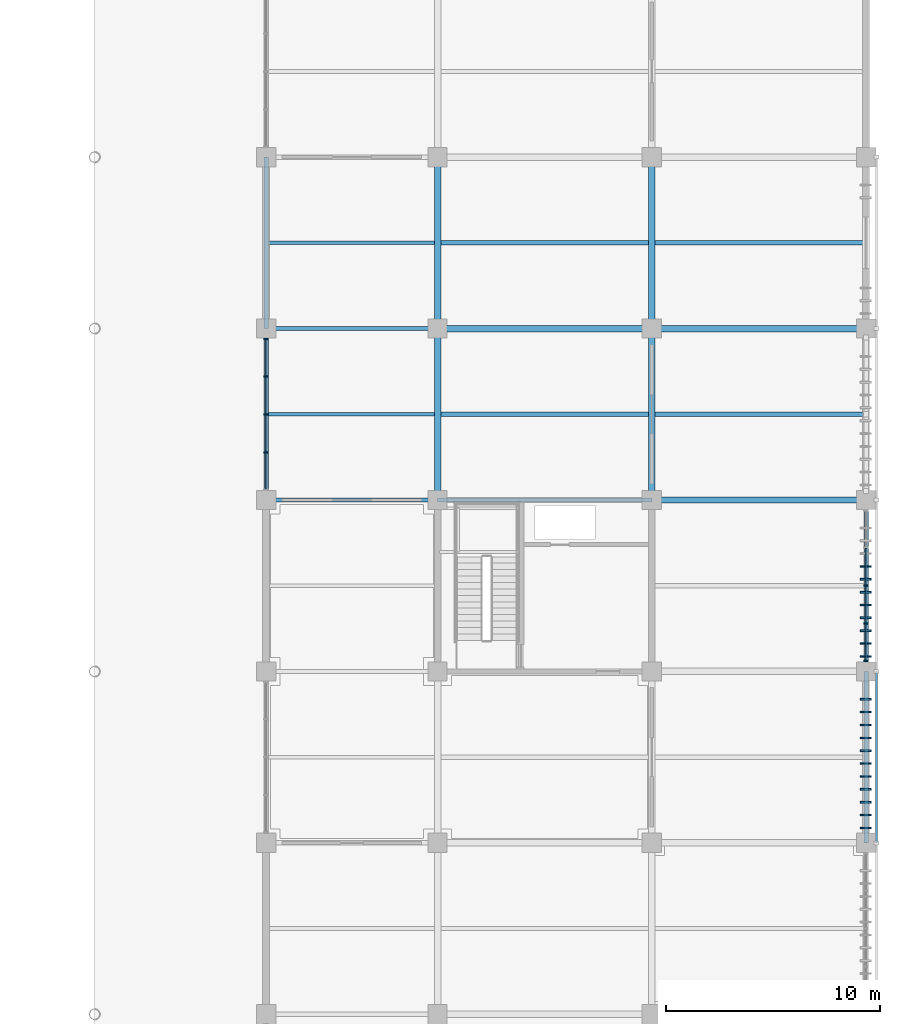
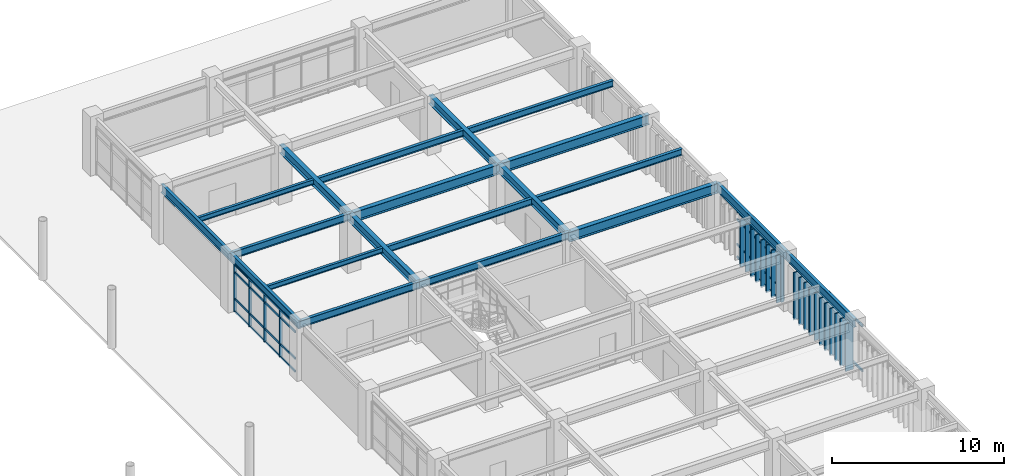
# One storey, part 48 of 118: 56 members, 20 beams, 2 elements without a shape of their own.
"""IFC4 building model written with IfcOpenShell, lengths in metres."""

from ifc_helpers import new_model, si_unit, direction, frame, origin, origin_2d, place, context, subcontext, project, spatial, rectangle, hollow_rectangle, i_section, extrude, material, layer, layer_set, material_profile, profile_set, type_object, element, aggregate, save


model = new_model("IFC4")

# Units and contexts
model_context = context("Model", 3, precision=1e-05, world=origin(), true_north=direction((0.0, 1.0)))
body_context = subcontext(model_context, "Body", "Model", "MODEL_VIEW")
ifc_project = project(units=[si_unit("LENGTHUNIT", "METRE"), si_unit("AREAUNIT", "SQUARE_METRE"), si_unit("VOLUMEUNIT", "CUBIC_METRE"), si_unit("PLANEANGLEUNIT", "RADIAN"), si_unit("MASSUNIT", "GRAM", prefix="KILO")], contexts=[model_context])

# Site, building, storey
site_placement = place(None, origin())
site = spatial("IfcSite", under=ifc_project, at=site_placement, CompositionType="ELEMENT")
building_placement = place(site_placement, origin())
building = spatial("IfcBuilding", under=site, at=building_placement, Name="Haebicheon Civic Stadium", CompositionType="ELEMENT")
storey_placement = place(building_placement, frame((0.0, 0.0, 14.39990234375)))
storey = spatial("IfcBuildingStorey", under=building, at=storey_placement, Name="L04", CompositionType="ELEMENT", Elevation=14.39990234375)

# Beams
ifc_material_1 = material(Name="Steel SM355 (S355)", Category="steel")
ifc_material_profile_1 = material_profile(ifc_material_1, i_section(OverallWidth=0.199951171875, OverallDepth=0.5, WebThickness=0.010009765625, FlangeThickness=0.01611328125, at=origin_2d()), Name="H-500x200x10x16")
ifc_profile_set_1 = profile_set([ifc_material_profile_1], Name="Steel SM355 (S355)")
beam_type_1 = type_object("IfcBeamType", Name="BM-ST-H500", PredefinedType="BEAM", material=ifc_profile_set_1)
for number, where, z_axis, x_axis, name in (
    (1, (208.0, 112.0, 3.690185546875), (1.0, 0.0, 0.0), (0.0, 1.0, 0.0), "L04 beam Q/27-28"),
    (2, (208.0, 120.0, 3.690185546875), (1.0, 0.0, 0.0), (0.0, 1.0, 0.0), "L04 beam R/27-28"),
):
    element("IfcBeam", number, at=place(storey_placement, frame(where, z_axis=z_axis, x_axis=x_axis)), inside=storey, type_object=beam_type_1, material=ifc_profile_set_1, Name=name, PredefinedType="BEAM", context=body_context, shape_type="SweptSolid", body=[
        extrude(i_section(OverallWidth=0.199951171875, OverallDepth=0.5, WebThickness=0.010009765625, FlangeThickness=0.01611328125, at=origin_2d()), origin(), (0.0, 0.0, 1.0), 8.0),
    ])
beam_placement = place(storey_placement, frame((216.0, 112.0, 3.690185546875), z_axis=(1.0, 0.0, 0.0), x_axis=(0.0, 1.0, 0.0)))
element("IfcBeam", 3, at=beam_placement, inside=storey, type_object=beam_type_1, material=ifc_profile_set_1, Name="L04 beam Q/28-29", PredefinedType="BEAM", context=body_context, shape_type="SweptSolid", body=[
    extrude(i_section(OverallWidth=0.199951171875, OverallDepth=0.5, WebThickness=0.010009765625, FlangeThickness=0.01611328125, at=origin_2d()), origin(), (0.0, 0.0, 1.0), 10.0),
])
ifc_material_2 = material(Name="Steel SM355 (S355)", Category="steel")
ifc_material_profile_2 = material_profile(ifc_material_2, i_section(OverallWidth=0.300048828125, OverallDepth=0.60009765625, WebThickness=0.011962890625, FlangeThickness=0.02001953125, at=origin_2d()), Name="H-600x300x12x20")
ifc_profile_set_2 = profile_set([ifc_material_profile_2], Name="Steel SM355 (S355)")
beam_type_2 = type_object("IfcBeamType", Name="BM-ST-H600A", PredefinedType="BEAM", material=ifc_profile_set_2)
for number, where, z_axis, x_axis, name in (
    (4, (216.0, 112.0, 3.64013671875), (0.0, 1.0, 0.0), (-1.0, 0.0, 0.0), "L04 girder 28/Q-R"),
    (5, (216.0, 120.0, 3.64013671875), (0.0, 1.0, 0.0), (-1.0, 0.0, 0.0), "L04 girder 28/R-S"),
    (6, (226.0, 112.0, 3.64013671875), (0.0, 1.0, 0.0), (-1.0, 0.0, 0.0), "L04 girder 29/Q-R"),
    (7, (226.0, 120.0, 3.64013671875), (0.0, 1.0, 0.0), (-1.0, 0.0, 0.0), "L04 girder 29/R-S"),
):
    element("IfcBeam", number, at=place(storey_placement, frame(where, z_axis=z_axis, x_axis=x_axis)), inside=storey, type_object=beam_type_2, material=ifc_profile_set_2, Name=name, PredefinedType="BEAM", context=body_context, shape_type="SweptSolid", body=[
        extrude(i_section(OverallWidth=0.300048828125, OverallDepth=0.60009765625, WebThickness=0.011962890625, FlangeThickness=0.02001953125, at=origin_2d()), origin(), (0.0, 0.0, 1.0), 8.0),
    ])
ifc_material_3 = material(Name="Steel SM490", Category="steel")
ifc_material_profile_3 = material_profile(ifc_material_3, i_section(OverallWidth=0.300048828125, OverallDepth=0.699951171875, WebThickness=0.012939453125, FlangeThickness=0.02392578125, at=origin_2d()), Name="H-700x300x13x24")
ifc_profile_set_3 = profile_set([ifc_material_profile_3], Name="Steel SM490")
beam_type_3 = type_object("IfcBeamType", Name="BM-ST-H700", PredefinedType="BEAM", material=ifc_profile_set_3)
for number, where, z_axis, x_axis, name in (
    (8, (216.0, 120.0, 3.590087890625), (1.0, 0.0, 0.0), (0.0, 1.0, 0.0), "L04 beam R/28-29"),
    (9, (226.0, 112.0, 3.590087890625), (1.0, 0.0, 0.0), (0.0, 1.0, 0.0), "L04 beam Q/29-30"),
    (10, (226.0, 120.0, 3.590087890625), (1.0, 0.0, 0.0), (0.0, 1.0, 0.0), "L04 beam R/29-30"),
):
    element("IfcBeam", number, at=place(storey_placement, frame(where, z_axis=z_axis, x_axis=x_axis)), inside=storey, type_object=beam_type_3, material=ifc_profile_set_3, Name=name, PredefinedType="BEAM", context=body_context, shape_type="SweptSolid", body=[
        extrude(i_section(OverallWidth=0.300048828125, OverallDepth=0.699951171875, WebThickness=0.012939453125, FlangeThickness=0.02392578125, at=origin_2d()), origin(), (0.0, 0.0, 1.0), 10.0),
    ])

# Curtain wall, members
ifc_material_4 = material(Name="Anodised aluminium and laminated glass", Category="aluminium")
ifc_layer_1 = layer(ifc_material_4, 0.179931640625, Name="Anodised aluminium and laminated glass")
ifc_layer_set_1 = layer_set([ifc_layer_1], Name="Anodised aluminium and laminated glass")
curtain_wall_type_1 = type_object("IfcCurtainWallType", Name="CW-7100x3330", PredefinedType="NOTDEFINED", material=ifc_layer_set_1)
curtain_wall_1_placement = place(storey_placement, origin())
curtain_wall_1 = element("IfcCurtainWall", 11, at=curtain_wall_1_placement, inside=storey, type_object=curtain_wall_type_1, material=ifc_layer_set_1, Name="L04 unitised curtain wall 173", PredefinedType="NOTDEFINED")
ifc_material_5 = material(Name="Anodised aluminium 6063-T6", Category="aluminium")
ifc_material_profile_4 = material_profile(ifc_material_5, rectangle(XDim=0.070068359375, YDim=0.199951171875, at=origin_2d()), Name="ALU-MULL-70x200")
ifc_profile_set_4 = profile_set([ifc_material_profile_4], Name="Anodised aluminium 6063-T6")
member_type_1 = type_object("IfcMemberType", Name="CWM-200x70", PredefinedType="MULLION", material=ifc_profile_set_4)
member_1_placement = place(storey_placement, frame((208.0, 114.22509765625, 0.0), z_axis=(0.0, 0.0, 1.0), x_axis=(0.0, 1.0, 0.0)))
member_1 = element("IfcMember", 12, at=member_1_placement, type_object=member_type_1, material=ifc_profile_set_4, Name="CW-L04-173 vertical mullion 2", PredefinedType="MULLION", context=body_context, shape_type="SweptSolid", body=[
    extrude(rectangle(XDim=0.070068359375, YDim=0.199951171875, at=origin_2d()), origin(), (0.0, 0.0, 1.0), 3.330078125),
])
member_2_placement = place(storey_placement, frame((208.0, 116.0, 0.0), z_axis=(0.0, 0.0, 1.0), x_axis=(0.0, 1.0, 0.0)))
member_2 = element("IfcMember", 13, at=member_2_placement, type_object=member_type_1, material=ifc_profile_set_4, Name="CW-L04-173 vertical mullion 3", PredefinedType="MULLION", context=body_context, shape_type="SweptSolid", body=[
    extrude(rectangle(XDim=0.070068359375, YDim=0.199951171875, at=origin_2d()), origin(), (0.0, 0.0, 1.0), 3.330078125),
])
member_3_placement = place(storey_placement, frame((208.0, 117.77490234375, 0.0), z_axis=(0.0, 0.0, 1.0), x_axis=(0.0, 1.0, 0.0)))
member_3 = element("IfcMember", 14, at=member_3_placement, type_object=member_type_1, material=ifc_profile_set_4, Name="CW-L04-173 vertical mullion 4", PredefinedType="MULLION", context=body_context, shape_type="SweptSolid", body=[
    extrude(rectangle(XDim=0.070068359375, YDim=0.199951171875, at=origin_2d()), origin(), (0.0, 0.0, 1.0), 3.330078125),
])
member_4_placement = place(storey_placement, frame((208.0, 119.514892578125, 0.0), z_axis=(0.0, 0.0, 1.0), x_axis=(0.0, 1.0, 0.0)))
member_4 = element("IfcMember", 15, at=member_4_placement, type_object=member_type_1, material=ifc_profile_set_4, Name="CW-L04-173 vertical mullion 5", PredefinedType="MULLION", context=body_context, shape_type="SweptSolid", body=[
    extrude(rectangle(XDim=0.070068359375, YDim=0.199951171875, at=origin_2d()), origin(), (0.0, 0.0, 1.0), 3.330078125),
])

ifc_material_6 = material(Name="Anodised aluminium and laminated glass", Category="aluminium")
ifc_layer_2 = layer(ifc_material_6, 0.179931640625, Name="Anodised aluminium and laminated glass")
ifc_layer_set_2 = layer_set([ifc_layer_2], Name="Anodised aluminium and laminated glass")
curtain_wall_type_2 = type_object("IfcCurtainWallType", Name="CW-7100x3230", PredefinedType="NOTDEFINED", material=ifc_layer_set_2)
curtain_wall_2_placement = place(storey_placement, origin())
curtain_wall_2 = element("IfcCurtainWall", 16, at=curtain_wall_2_placement, inside=storey, type_object=curtain_wall_type_2, material=ifc_layer_set_2, Name="L04 unitised curtain wall 180", PredefinedType="NOTDEFINED")
member_5_placement = place(storey_placement, frame((236.0, 104.485107421875, 0.0), z_axis=(0.0, 0.0, 1.0), x_axis=(0.0, 1.0, 0.0)))
member_5 = element("IfcMember", 17, at=member_5_placement, type_object=member_type_1, material=ifc_profile_set_4, Name="CW-L04-180 vertical mullion 1", PredefinedType="MULLION", context=body_context, shape_type="SweptSolid", body=[
    extrude(rectangle(XDim=0.070068359375, YDim=0.199951171875, at=origin_2d()), origin(), (0.0, 0.0, 1.0), 3.22998046875),
])
member_6_placement = place(storey_placement, frame((236.0, 106.22509765625, 0.0), z_axis=(0.0, 0.0, 1.0), x_axis=(0.0, 1.0, 0.0)))
member_6 = element("IfcMember", 18, at=member_6_placement, type_object=member_type_1, material=ifc_profile_set_4, Name="CW-L04-180 vertical mullion 2", PredefinedType="MULLION", context=body_context, shape_type="SweptSolid", body=[
    extrude(rectangle(XDim=0.070068359375, YDim=0.199951171875, at=origin_2d()), origin(), (0.0, 0.0, 1.0), 3.22998046875),
])
member_7_placement = place(storey_placement, frame((236.0, 108.0, 0.0), z_axis=(0.0, 0.0, 1.0), x_axis=(0.0, 1.0, 0.0)))
member_7 = element("IfcMember", 19, at=member_7_placement, type_object=member_type_1, material=ifc_profile_set_4, Name="CW-L04-180 vertical mullion 3", PredefinedType="MULLION", context=body_context, shape_type="SweptSolid", body=[
    extrude(rectangle(XDim=0.070068359375, YDim=0.199951171875, at=origin_2d()), origin(), (0.0, 0.0, 1.0), 3.22998046875),
])

# Member
ifc_material_7 = material(Name="Anodised aluminium 6063-T6", Category="aluminium")
ifc_material_profile_5 = material_profile(ifc_material_7, rectangle(XDim=0.070068359375, YDim=0.14990234375, at=origin_2d()), Name="ALU-TRAN-70x150")
ifc_profile_set_5 = profile_set([ifc_material_profile_5], Name="Anodised aluminium 6063-T6")
member_type_2 = type_object("IfcMemberType", Name="CWT-150x70", PredefinedType="NOTDEFINED", material=ifc_profile_set_5)
member_8_placement = place(storey_placement, frame((208.0, 112.52001953125, 0.0), z_axis=(0.0, 1.0, 0.0), x_axis=(-1.0, 0.0, 0.0)))
member_8 = element("IfcMember", 20, at=member_8_placement, type_object=member_type_2, material=ifc_profile_set_5, Name="CW-L04-173 horizontal transom 1.1", ObjectType="TRANSOM", PredefinedType="USERDEFINED", context=body_context, shape_type="SweptSolid", body=[
    extrude(rectangle(XDim=0.070068359375, YDim=0.14990234375, at=origin_2d()), origin(), (0.0, 0.0, 1.0), 1.669921875),
])

member_9_placement = place(storey_placement, frame((208.0, 112.52001953125, 0.900146484375), z_axis=(0.0, 1.0, 0.0), x_axis=(-1.0, 0.0, 0.0)))
member_9 = element("IfcMember", 21, at=member_9_placement, type_object=member_type_2, material=ifc_profile_set_5, Name="CW-L04-173 horizontal transom 1.2", ObjectType="TRANSOM", PredefinedType="USERDEFINED", context=body_context, shape_type="SweptSolid", body=[
    extrude(rectangle(XDim=0.070068359375, YDim=0.14990234375, at=origin_2d()), origin(), (0.0, 0.0, 1.0), 1.669921875),
])

member_10_placement = place(storey_placement, frame((208.0, 112.52001953125, 2.780029296875), z_axis=(0.0, 1.0, 0.0), x_axis=(-1.0, 0.0, 0.0)))
member_10 = element("IfcMember", 22, at=member_10_placement, type_object=member_type_2, material=ifc_profile_set_5, Name="CW-L04-173 horizontal transom 1.3", ObjectType="TRANSOM", PredefinedType="USERDEFINED", context=body_context, shape_type="SweptSolid", body=[
    extrude(rectangle(XDim=0.070068359375, YDim=0.14990234375, at=origin_2d()), origin(), (0.0, 0.0, 1.0), 1.669921875),
])

member_11_placement = place(storey_placement, frame((208.0, 112.52001953125, 3.330078125), z_axis=(0.0, 1.0, 0.0), x_axis=(-1.0, 0.0, 0.0)))
member_11 = element("IfcMember", 23, at=member_11_placement, type_object=member_type_2, material=ifc_profile_set_5, Name="CW-L04-173 horizontal transom 1.4", ObjectType="TRANSOM", PredefinedType="USERDEFINED", context=body_context, shape_type="SweptSolid", body=[
    extrude(rectangle(XDim=0.070068359375, YDim=0.14990234375, at=origin_2d()), origin(), (0.0, 0.0, 1.0), 1.669921875),
])

member_12_placement = place(storey_placement, frame((208.0, 114.260009765625, 0.0), z_axis=(0.0, 1.0, 0.0), x_axis=(-1.0, 0.0, 0.0)))
member_12 = element("IfcMember", 24, at=member_12_placement, type_object=member_type_2, material=ifc_profile_set_5, Name="CW-L04-173 horizontal transom 2.1", ObjectType="TRANSOM", PredefinedType="USERDEFINED", context=body_context, shape_type="SweptSolid", body=[
    extrude(rectangle(XDim=0.070068359375, YDim=0.14990234375, at=origin_2d()), origin(), (0.0, 0.0, 1.0), 1.705078125),
])

member_13_placement = place(storey_placement, frame((208.0, 114.260009765625, 0.900146484375), z_axis=(0.0, 1.0, 0.0), x_axis=(-1.0, 0.0, 0.0)))
member_13 = element("IfcMember", 25, at=member_13_placement, type_object=member_type_2, material=ifc_profile_set_5, Name="CW-L04-173 horizontal transom 2.2", ObjectType="TRANSOM", PredefinedType="USERDEFINED", context=body_context, shape_type="SweptSolid", body=[
    extrude(rectangle(XDim=0.070068359375, YDim=0.14990234375, at=origin_2d()), origin(), (0.0, 0.0, 1.0), 1.705078125),
])

member_14_placement = place(storey_placement, frame((208.0, 114.260009765625, 2.780029296875), z_axis=(0.0, 1.0, 0.0), x_axis=(-1.0, 0.0, 0.0)))
member_14 = element("IfcMember", 26, at=member_14_placement, type_object=member_type_2, material=ifc_profile_set_5, Name="CW-L04-173 horizontal transom 2.3", ObjectType="TRANSOM", PredefinedType="USERDEFINED", context=body_context, shape_type="SweptSolid", body=[
    extrude(rectangle(XDim=0.070068359375, YDim=0.14990234375, at=origin_2d()), origin(), (0.0, 0.0, 1.0), 1.705078125),
])

member_15_placement = place(storey_placement, frame((208.0, 114.260009765625, 3.330078125), z_axis=(0.0, 1.0, 0.0), x_axis=(-1.0, 0.0, 0.0)))
member_15 = element("IfcMember", 27, at=member_15_placement, type_object=member_type_2, material=ifc_profile_set_5, Name="CW-L04-173 horizontal transom 2.4", ObjectType="TRANSOM", PredefinedType="USERDEFINED", context=body_context, shape_type="SweptSolid", body=[
    extrude(rectangle(XDim=0.070068359375, YDim=0.14990234375, at=origin_2d()), origin(), (0.0, 0.0, 1.0), 1.705078125),
])

member_16_placement = place(storey_placement, frame((208.0, 116.034912109375, 0.0), z_axis=(0.0, 1.0, 0.0), x_axis=(-1.0, 0.0, 0.0)))
member_16 = element("IfcMember", 28, at=member_16_placement, type_object=member_type_2, material=ifc_profile_set_5, Name="CW-L04-173 horizontal transom 3.1", ObjectType="TRANSOM", PredefinedType="USERDEFINED", context=body_context, shape_type="SweptSolid", body=[
    extrude(rectangle(XDim=0.070068359375, YDim=0.14990234375, at=origin_2d()), origin(), (0.0, 0.0, 1.0), 1.705078125),
])

member_17_placement = place(storey_placement, frame((208.0, 116.034912109375, 0.900146484375), z_axis=(0.0, 1.0, 0.0), x_axis=(-1.0, 0.0, 0.0)))
member_17 = element("IfcMember", 29, at=member_17_placement, type_object=member_type_2, material=ifc_profile_set_5, Name="CW-L04-173 horizontal transom 3.2", ObjectType="TRANSOM", PredefinedType="USERDEFINED", context=body_context, shape_type="SweptSolid", body=[
    extrude(rectangle(XDim=0.070068359375, YDim=0.14990234375, at=origin_2d()), origin(), (0.0, 0.0, 1.0), 1.705078125),
])

member_18_placement = place(storey_placement, frame((208.0, 116.034912109375, 2.780029296875), z_axis=(0.0, 1.0, 0.0), x_axis=(-1.0, 0.0, 0.0)))
member_18 = element("IfcMember", 30, at=member_18_placement, type_object=member_type_2, material=ifc_profile_set_5, Name="CW-L04-173 horizontal transom 3.3", ObjectType="TRANSOM", PredefinedType="USERDEFINED", context=body_context, shape_type="SweptSolid", body=[
    extrude(rectangle(XDim=0.070068359375, YDim=0.14990234375, at=origin_2d()), origin(), (0.0, 0.0, 1.0), 1.705078125),
])

member_19_placement = place(storey_placement, frame((208.0, 116.034912109375, 3.330078125), z_axis=(0.0, 1.0, 0.0), x_axis=(-1.0, 0.0, 0.0)))
member_19 = element("IfcMember", 31, at=member_19_placement, type_object=member_type_2, material=ifc_profile_set_5, Name="CW-L04-173 horizontal transom 3.4", ObjectType="TRANSOM", PredefinedType="USERDEFINED", context=body_context, shape_type="SweptSolid", body=[
    extrude(rectangle(XDim=0.070068359375, YDim=0.14990234375, at=origin_2d()), origin(), (0.0, 0.0, 1.0), 1.705078125),
])

member_20_placement = place(storey_placement, frame((208.0, 117.81005859375, 0.0), z_axis=(0.0, 1.0, 0.0), x_axis=(-1.0, 0.0, 0.0)))
member_20 = element("IfcMember", 32, at=member_20_placement, type_object=member_type_2, material=ifc_profile_set_5, Name="CW-L04-173 horizontal transom 4.1", ObjectType="TRANSOM", PredefinedType="USERDEFINED", context=body_context, shape_type="SweptSolid", body=[
    extrude(rectangle(XDim=0.070068359375, YDim=0.14990234375, at=origin_2d()), origin(), (0.0, 0.0, 1.0), 1.669921875),
])

member_21_placement = place(storey_placement, frame((208.0, 117.81005859375, 0.900146484375), z_axis=(0.0, 1.0, 0.0), x_axis=(-1.0, 0.0, 0.0)))
member_21 = element("IfcMember", 33, at=member_21_placement, type_object=member_type_2, material=ifc_profile_set_5, Name="CW-L04-173 horizontal transom 4.2", ObjectType="TRANSOM", PredefinedType="USERDEFINED", context=body_context, shape_type="SweptSolid", body=[
    extrude(rectangle(XDim=0.070068359375, YDim=0.14990234375, at=origin_2d()), origin(), (0.0, 0.0, 1.0), 1.669921875),
])

member_22_placement = place(storey_placement, frame((208.0, 117.81005859375, 2.780029296875), z_axis=(0.0, 1.0, 0.0), x_axis=(-1.0, 0.0, 0.0)))
member_22 = element("IfcMember", 34, at=member_22_placement, type_object=member_type_2, material=ifc_profile_set_5, Name="CW-L04-173 horizontal transom 4.3", ObjectType="TRANSOM", PredefinedType="USERDEFINED", context=body_context, shape_type="SweptSolid", body=[
    extrude(rectangle(XDim=0.070068359375, YDim=0.14990234375, at=origin_2d()), origin(), (0.0, 0.0, 1.0), 1.669921875),
])

member_23_placement = place(storey_placement, frame((208.0, 117.81005859375, 3.330078125), z_axis=(0.0, 1.0, 0.0), x_axis=(-1.0, 0.0, 0.0)))
member_23 = element("IfcMember", 35, at=member_23_placement, type_object=member_type_2, material=ifc_profile_set_5, Name="CW-L04-173 horizontal transom 4.4", ObjectType="TRANSOM", PredefinedType="USERDEFINED", context=body_context, shape_type="SweptSolid", body=[
    extrude(rectangle(XDim=0.070068359375, YDim=0.14990234375, at=origin_2d()), origin(), (0.0, 0.0, 1.0), 1.669921875),
])

aggregate(curtain_wall_1, [member_1, member_2, member_3, member_4, member_8, member_9, member_10, member_11, member_12, member_13, member_14, member_15, member_16, member_17, member_18, member_19, member_20, member_21, member_22, member_23])

member_24_placement = place(storey_placement, frame((236.0, 104.52001953125, 0.0), z_axis=(0.0, 1.0, 0.0), x_axis=(-1.0, 0.0, 0.0)))
member_24 = element("IfcMember", 36, at=member_24_placement, type_object=member_type_2, material=ifc_profile_set_5, Name="CW-L04-180 horizontal transom 1.1", ObjectType="TRANSOM", PredefinedType="USERDEFINED", context=body_context, shape_type="SweptSolid", body=[
    extrude(rectangle(XDim=0.070068359375, YDim=0.14990234375, at=origin_2d()), origin(), (0.0, 0.0, 1.0), 1.669921875),
])

member_25_placement = place(storey_placement, frame((236.0, 104.52001953125, 0.900146484375), z_axis=(0.0, 1.0, 0.0), x_axis=(-1.0, 0.0, 0.0)))
member_25 = element("IfcMember", 37, at=member_25_placement, type_object=member_type_2, material=ifc_profile_set_5, Name="CW-L04-180 horizontal transom 1.2", ObjectType="TRANSOM", PredefinedType="USERDEFINED", context=body_context, shape_type="SweptSolid", body=[
    extrude(rectangle(XDim=0.070068359375, YDim=0.14990234375, at=origin_2d()), origin(), (0.0, 0.0, 1.0), 1.669921875),
])

member_26_placement = place(storey_placement, frame((236.0, 104.52001953125, 2.68017578125), z_axis=(0.0, 1.0, 0.0), x_axis=(-1.0, 0.0, 0.0)))
member_26 = element("IfcMember", 38, at=member_26_placement, type_object=member_type_2, material=ifc_profile_set_5, Name="CW-L04-180 horizontal transom 1.3", ObjectType="TRANSOM", PredefinedType="USERDEFINED", context=body_context, shape_type="SweptSolid", body=[
    extrude(rectangle(XDim=0.070068359375, YDim=0.14990234375, at=origin_2d()), origin(), (0.0, 0.0, 1.0), 1.669921875),
])

member_27_placement = place(storey_placement, frame((236.0, 104.52001953125, 3.22998046875), z_axis=(0.0, 1.0, 0.0), x_axis=(-1.0, 0.0, 0.0)))
member_27 = element("IfcMember", 39, at=member_27_placement, type_object=member_type_2, material=ifc_profile_set_5, Name="CW-L04-180 horizontal transom 1.4", ObjectType="TRANSOM", PredefinedType="USERDEFINED", context=body_context, shape_type="SweptSolid", body=[
    extrude(rectangle(XDim=0.070068359375, YDim=0.14990234375, at=origin_2d()), origin(), (0.0, 0.0, 1.0), 1.669921875),
])

member_28_placement = place(storey_placement, frame((236.0, 106.260009765625, 0.0), z_axis=(0.0, 1.0, 0.0), x_axis=(-1.0, 0.0, 0.0)))
member_28 = element("IfcMember", 40, at=member_28_placement, type_object=member_type_2, material=ifc_profile_set_5, Name="CW-L04-180 horizontal transom 2.1", ObjectType="TRANSOM", PredefinedType="USERDEFINED", context=body_context, shape_type="SweptSolid", body=[
    extrude(rectangle(XDim=0.070068359375, YDim=0.14990234375, at=origin_2d()), origin(), (0.0, 0.0, 1.0), 1.705078125),
])

member_29_placement = place(storey_placement, frame((236.0, 106.260009765625, 0.900146484375), z_axis=(0.0, 1.0, 0.0), x_axis=(-1.0, 0.0, 0.0)))
member_29 = element("IfcMember", 41, at=member_29_placement, type_object=member_type_2, material=ifc_profile_set_5, Name="CW-L04-180 horizontal transom 2.2", ObjectType="TRANSOM", PredefinedType="USERDEFINED", context=body_context, shape_type="SweptSolid", body=[
    extrude(rectangle(XDim=0.070068359375, YDim=0.14990234375, at=origin_2d()), origin(), (0.0, 0.0, 1.0), 1.705078125),
])

member_30_placement = place(storey_placement, frame((236.0, 106.260009765625, 2.68017578125), z_axis=(0.0, 1.0, 0.0), x_axis=(-1.0, 0.0, 0.0)))
member_30 = element("IfcMember", 42, at=member_30_placement, type_object=member_type_2, material=ifc_profile_set_5, Name="CW-L04-180 horizontal transom 2.3", ObjectType="TRANSOM", PredefinedType="USERDEFINED", context=body_context, shape_type="SweptSolid", body=[
    extrude(rectangle(XDim=0.070068359375, YDim=0.14990234375, at=origin_2d()), origin(), (0.0, 0.0, 1.0), 1.705078125),
])

member_31_placement = place(storey_placement, frame((236.0, 106.260009765625, 3.22998046875), z_axis=(0.0, 1.0, 0.0), x_axis=(-1.0, 0.0, 0.0)))
member_31 = element("IfcMember", 43, at=member_31_placement, type_object=member_type_2, material=ifc_profile_set_5, Name="CW-L04-180 horizontal transom 2.4", ObjectType="TRANSOM", PredefinedType="USERDEFINED", context=body_context, shape_type="SweptSolid", body=[
    extrude(rectangle(XDim=0.070068359375, YDim=0.14990234375, at=origin_2d()), origin(), (0.0, 0.0, 1.0), 1.705078125),
])

member_32_placement = place(storey_placement, frame((236.0, 108.034912109375, 0.0), z_axis=(0.0, 1.0, 0.0), x_axis=(-1.0, 0.0, 0.0)))
member_32 = element("IfcMember", 44, at=member_32_placement, type_object=member_type_2, material=ifc_profile_set_5, Name="CW-L04-180 horizontal transom 3.1", ObjectType="TRANSOM", PredefinedType="USERDEFINED", context=body_context, shape_type="SweptSolid", body=[
    extrude(rectangle(XDim=0.070068359375, YDim=0.14990234375, at=origin_2d()), origin(), (0.0, 0.0, 1.0), 1.705078125),
])

member_33_placement = place(storey_placement, frame((236.0, 108.034912109375, 0.900146484375), z_axis=(0.0, 1.0, 0.0), x_axis=(-1.0, 0.0, 0.0)))
member_33 = element("IfcMember", 45, at=member_33_placement, type_object=member_type_2, material=ifc_profile_set_5, Name="CW-L04-180 horizontal transom 3.2", ObjectType="TRANSOM", PredefinedType="USERDEFINED", context=body_context, shape_type="SweptSolid", body=[
    extrude(rectangle(XDim=0.070068359375, YDim=0.14990234375, at=origin_2d()), origin(), (0.0, 0.0, 1.0), 1.705078125),
])

member_34_placement = place(storey_placement, frame((236.0, 108.034912109375, 2.68017578125), z_axis=(0.0, 1.0, 0.0), x_axis=(-1.0, 0.0, 0.0)))
member_34 = element("IfcMember", 46, at=member_34_placement, type_object=member_type_2, material=ifc_profile_set_5, Name="CW-L04-180 horizontal transom 3.3", ObjectType="TRANSOM", PredefinedType="USERDEFINED", context=body_context, shape_type="SweptSolid", body=[
    extrude(rectangle(XDim=0.070068359375, YDim=0.14990234375, at=origin_2d()), origin(), (0.0, 0.0, 1.0), 1.705078125),
])

member_35_placement = place(storey_placement, frame((236.0, 108.034912109375, 3.22998046875), z_axis=(0.0, 1.0, 0.0), x_axis=(-1.0, 0.0, 0.0)))
member_35 = element("IfcMember", 47, at=member_35_placement, type_object=member_type_2, material=ifc_profile_set_5, Name="CW-L04-180 horizontal transom 3.4", ObjectType="TRANSOM", PredefinedType="USERDEFINED", context=body_context, shape_type="SweptSolid", body=[
    extrude(rectangle(XDim=0.070068359375, YDim=0.14990234375, at=origin_2d()), origin(), (0.0, 0.0, 1.0), 1.705078125),
])

aggregate(curtain_wall_2, [member_5, member_6, member_7, member_24, member_25, member_26, member_27, member_28, member_29, member_30, member_31, member_32, member_33, member_34, member_35])

# Beams
ifc_material_8 = material(Name="Steel SM355 (S355)", Category="steel")
ifc_material_profile_6 = material_profile(ifc_material_8, i_section(OverallWidth=0.175048828125, OverallDepth=0.35009765625, WebThickness=0.007080078125, FlangeThickness=0.010986328125, at=origin_2d()), Name="H-350x175x7x11")
ifc_profile_set_6 = profile_set([ifc_material_profile_6], Name="Steel SM355 (S355)")
beam_type_4 = type_object("IfcBeamType", Name="JST-ST-H350", PredefinedType="JOIST", material=ifc_profile_set_6)
for number, where, z_axis, x_axis, name in (
    (48, (208.10009765625, 116.0, 3.76513671875), (1.0, 0.0, 0.0), (0.0, 1.0, 0.0), "L04 secondary joist 26-14"),
    (49, (208.10009765625, 124.0, 3.76513671875), (1.0, 0.0, 0.0), (0.0, 1.0, 0.0), "L04 secondary joist 26-15"),
):
    element("IfcBeam", number, at=place(storey_placement, frame(where, z_axis=z_axis, x_axis=x_axis)), inside=storey, type_object=beam_type_4, material=ifc_profile_set_6, Name=name, PredefinedType="JOIST", context=body_context, shape_type="SweptSolid", body=[
        extrude(i_section(OverallWidth=0.175048828125, OverallDepth=0.35009765625, WebThickness=0.007080078125, FlangeThickness=0.010986328125, at=origin_2d()), origin(), (0.0, 0.0, 1.0), 7.75),
    ])
ifc_material_9 = material(Name="Steel SM355 (S355)", Category="steel")
ifc_material_profile_7 = material_profile(ifc_material_9, i_section(OverallWidth=0.199951171875, OverallDepth=0.449951171875, WebThickness=0.009033203125, FlangeThickness=0.013916015625, at=origin_2d()), Name="H-450x200x9x14")
ifc_profile_set_7 = profile_set([ifc_material_profile_7], Name="Steel SM355 (S355)")
beam_type_5 = type_object("IfcBeamType", Name="JST-ST-H450", PredefinedType="JOIST", material=ifc_profile_set_7)
for number, where, z_axis, x_axis, name in (
    (50, (216.14990234375, 116.0, 3.715087890625), (1.0, 0.0, 0.0), (0.0, 1.0, 0.0), "L04 secondary joist 27-14"),
    (51, (216.14990234375, 124.0, 3.715087890625), (1.0, 0.0, 0.0), (0.0, 1.0, 0.0), "L04 secondary joist 27-15"),
):
    element("IfcBeam", number, at=place(storey_placement, frame(where, z_axis=z_axis, x_axis=x_axis)), inside=storey, type_object=beam_type_5, material=ifc_profile_set_7, Name=name, PredefinedType="JOIST", context=body_context, shape_type="SweptSolid", body=[
        extrude(i_section(OverallWidth=0.199951171875, OverallDepth=0.449951171875, WebThickness=0.009033203125, FlangeThickness=0.013916015625, at=origin_2d()), origin(), (0.0, 0.0, 1.0), 9.7001953125),
    ])
for number, where, z_axis, x_axis, name in (
    (52, (226.14990234375, 116.0, 3.715087890625), (1.0, 0.0, 0.0), (0.0, 1.0, 0.0), "L04 secondary joist 28-14"),
    (53, (226.14990234375, 124.0, 3.715087890625), (1.0, 0.0, 0.0), (0.0, 1.0, 0.0), "L04 secondary joist 28-15"),
):
    element("IfcBeam", number, at=place(storey_placement, frame(where, z_axis=z_axis, x_axis=x_axis)), inside=storey, type_object=beam_type_5, material=ifc_profile_set_7, Name=name, PredefinedType="JOIST", context=body_context, shape_type="SweptSolid", body=[
        extrude(i_section(OverallWidth=0.199951171875, OverallDepth=0.449951171875, WebThickness=0.009033203125, FlangeThickness=0.013916015625, at=origin_2d()), origin(), (0.0, 0.0, 1.0), 9.75),
    ])

# Members
ifc_material_10 = material(Name="Acetylated timber GL28h", Category="wood")
ifc_material_profile_8 = material_profile(ifc_material_10, rectangle(XDim=0.080078125, YDim=0.52001953125, at=origin_2d()), Name="TMB-LOUV-80x520")
ifc_profile_set_8 = profile_set([ifc_material_profile_8], Name="Acetylated timber GL28h")
member_type_3 = type_object("IfcMemberType", Name="LVR-TIM-520x80", PredefinedType="PLATE", material=ifc_profile_set_8)
for number, where, z_axis, x_axis, name in (
    (54, (235.97998046875, 96.699951171875, -0.119873046875), (0.0, 0.0, 1.0), (0.0, 1.0, 0.0), "SCR-COMM L04 acetylated timber storm louvre fin 7.1"),
    (55, (235.97998046875, 97.300048828125, -0.119873046875), (0.0, 0.0, 1.0), (0.0, 1.0, 0.0), "SCR-COMM L04 acetylated timber storm louvre fin 7.2"),
    (56, (235.97998046875, 97.89990234375, -0.119873046875), (0.0, 0.0, 1.0), (0.0, 1.0, 0.0), "SCR-COMM L04 acetylated timber storm louvre fin 7.3"),
    (57, (235.97998046875, 98.5, -0.119873046875), (0.0, 0.0, 1.0), (0.0, 1.0, 0.0), "SCR-COMM L04 acetylated timber storm louvre fin 7.4"),
    (58, (235.97998046875, 99.10009765625, -0.119873046875), (0.0, 0.0, 1.0), (0.0, 1.0, 0.0), "SCR-COMM L04 acetylated timber storm louvre fin 7.5"),
    (59, (235.97998046875, 99.699951171875, -0.119873046875), (0.0, 0.0, 1.0), (0.0, 1.0, 0.0), "SCR-COMM L04 acetylated timber storm louvre fin 7.6"),
    (60, (235.97998046875, 100.300048828125, -0.119873046875), (0.0, 0.0, 1.0), (0.0, 1.0, 0.0), "SCR-COMM L04 acetylated timber storm louvre fin 7.7"),
    (61, (235.97998046875, 100.89990234375, -0.119873046875), (0.0, 0.0, 1.0), (0.0, 1.0, 0.0), "SCR-COMM L04 acetylated timber storm louvre fin 7.8"),
    (62, (235.97998046875, 101.5, -0.119873046875), (0.0, 0.0, 1.0), (0.0, 1.0, 0.0), "SCR-COMM L04 acetylated timber storm louvre fin 7.9"),
    (63, (235.97998046875, 102.10009765625, -0.119873046875), (0.0, 0.0, 1.0), (0.0, 1.0, 0.0), "SCR-COMM L04 acetylated timber storm louvre fin 7.10"),
    (64, (235.97998046875, 102.699951171875, -0.119873046875), (0.0, 0.0, 1.0), (0.0, 1.0, 0.0), "SCR-COMM L04 acetylated timber storm louvre fin 7.11"),
    (65, (235.97998046875, 104.699951171875, -0.119873046875), (0.0, 0.0, 1.0), (0.0, 1.0, 0.0), "SCR-COMM L04 acetylated timber storm louvre fin 8.1"),
    (66, (235.97998046875, 105.300048828125, -0.119873046875), (0.0, 0.0, 1.0), (0.0, 1.0, 0.0), "SCR-COMM L04 acetylated timber storm louvre fin 8.2"),
    (67, (235.97998046875, 105.89990234375, -0.119873046875), (0.0, 0.0, 1.0), (0.0, 1.0, 0.0), "SCR-COMM L04 acetylated timber storm louvre fin 8.3"),
    (68, (235.97998046875, 106.5, -0.119873046875), (0.0, 0.0, 1.0), (0.0, 1.0, 0.0), "SCR-COMM L04 acetylated timber storm louvre fin 8.4"),
    (69, (235.97998046875, 107.10009765625, -0.119873046875), (0.0, 0.0, 1.0), (0.0, 1.0, 0.0), "SCR-COMM L04 acetylated timber storm louvre fin 8.5"),
    (70, (235.97998046875, 107.699951171875, -0.119873046875), (0.0, 0.0, 1.0), (0.0, 1.0, 0.0), "SCR-COMM L04 acetylated timber storm louvre fin 8.6"),
    (71, (235.97998046875, 108.300048828125, -0.119873046875), (0.0, 0.0, 1.0), (0.0, 1.0, 0.0), "SCR-COMM L04 acetylated timber storm louvre fin 8.7"),
    (72, (235.97998046875, 108.89990234375, -0.119873046875), (0.0, 0.0, 1.0), (0.0, 1.0, 0.0), "SCR-COMM L04 acetylated timber storm louvre fin 8.8"),
):
    element("IfcMember", number, at=place(storey_placement, frame(where, z_axis=z_axis, x_axis=x_axis)), inside=storey, type_object=member_type_3, material=ifc_profile_set_8, Name=name, PredefinedType="PLATE", context=body_context, shape_type="SweptSolid", body=[
        extrude(rectangle(XDim=0.080078125, YDim=0.52001953125, at=origin_2d()), origin(), (0.0, 0.0, 1.0), 3.369873046875),
    ])

# Beams
ifc_material_11 = material(Name="Steel SM355 (S355)", Category="steel")
ifc_material_profile_9 = material_profile(ifc_material_11, i_section(OverallWidth=0.199951171875, OverallDepth=0.60009765625, WebThickness=0.010986328125, FlangeThickness=0.01708984375, at=origin_2d()), Name="H-600x200x11x17")
ifc_profile_set_9 = profile_set([ifc_material_profile_9], Name="Steel SM355 (S355)")
beam_type_6 = type_object("IfcBeamType", Name="SPD-ST-H600B", PredefinedType="SPANDREL", material=ifc_profile_set_9)
for number, where, z_axis, x_axis, name in (
    (73, (208.0, 112.0, 3.64013671875), (0.0, 1.0, 0.0), (-1.0, 0.0, 0.0), "L04 girder 27/Q-R"),
    (74, (208.0, 120.0, 3.64013671875), (0.0, 1.0, 0.0), (-1.0, 0.0, 0.0), "L04 girder 27/R-S"),
    (75, (236.0, 96.0, 3.64013671875), (0.0, 1.0, 0.0), (-1.0, 0.0, 0.0), "L04 girder 30/N-P"),
    (76, (236.0, 104.0, 3.64013671875), (0.0, 1.0, 0.0), (-1.0, 0.0, 0.0), "L04 girder 30/P-Q"),
):
    element("IfcBeam", number, at=place(storey_placement, frame(where, z_axis=z_axis, x_axis=x_axis)), inside=storey, type_object=beam_type_6, material=ifc_profile_set_9, Name=name, PredefinedType="SPANDREL", context=body_context, shape_type="SweptSolid", body=[
        extrude(i_section(OverallWidth=0.199951171875, OverallDepth=0.60009765625, WebThickness=0.010986328125, FlangeThickness=0.01708984375, at=origin_2d()), origin(), (0.0, 0.0, 1.0), 8.0),
    ])

# Members
ifc_material_12 = material(Name="Steel SM355 (S355)", Category="steel")
ifc_material_profile_10 = material_profile(ifc_material_12, hollow_rectangle(XDim=0.10009765625, YDim=0.14990234375, WallThickness=0.006103515625, at=origin_2d()), Name="RHS-150x100x6.0")
ifc_profile_set_10 = profile_set([ifc_material_profile_10], Name="Steel SM355 (S355)")
member_type_4 = type_object("IfcMemberType", Name="SUB-RHS150", PredefinedType="STRINGER", material=ifc_profile_set_10)
for number, where, z_axis, x_axis, name in (
    (77, (236.489990234375, 96.0, 0.06005859375), (0.0, 1.0, 0.0), (-1.0, 0.0, 0.0), "SCR-COMM L04 storm-louvre bottom carrier rail 7"),
    (78, (236.489990234375, 96.0, 3.25), (0.0, 1.0, 0.0), (-1.0, 0.0, 0.0), "SCR-COMM L04 storm-louvre top carrier rail 7"),
):
    element("IfcMember", number, at=place(storey_placement, frame(where, z_axis=z_axis, x_axis=x_axis)), inside=storey, type_object=member_type_4, material=ifc_profile_set_10, Name=name, PredefinedType="STRINGER", context=body_context, shape_type="SweptSolid", body=[
        extrude(hollow_rectangle(XDim=0.10009765625, YDim=0.14990234375, WallThickness=0.006103515625, at=origin_2d()), origin(), (0.0, 0.0, 1.0), 8.0),
    ])

save(model, "model.ifc")
